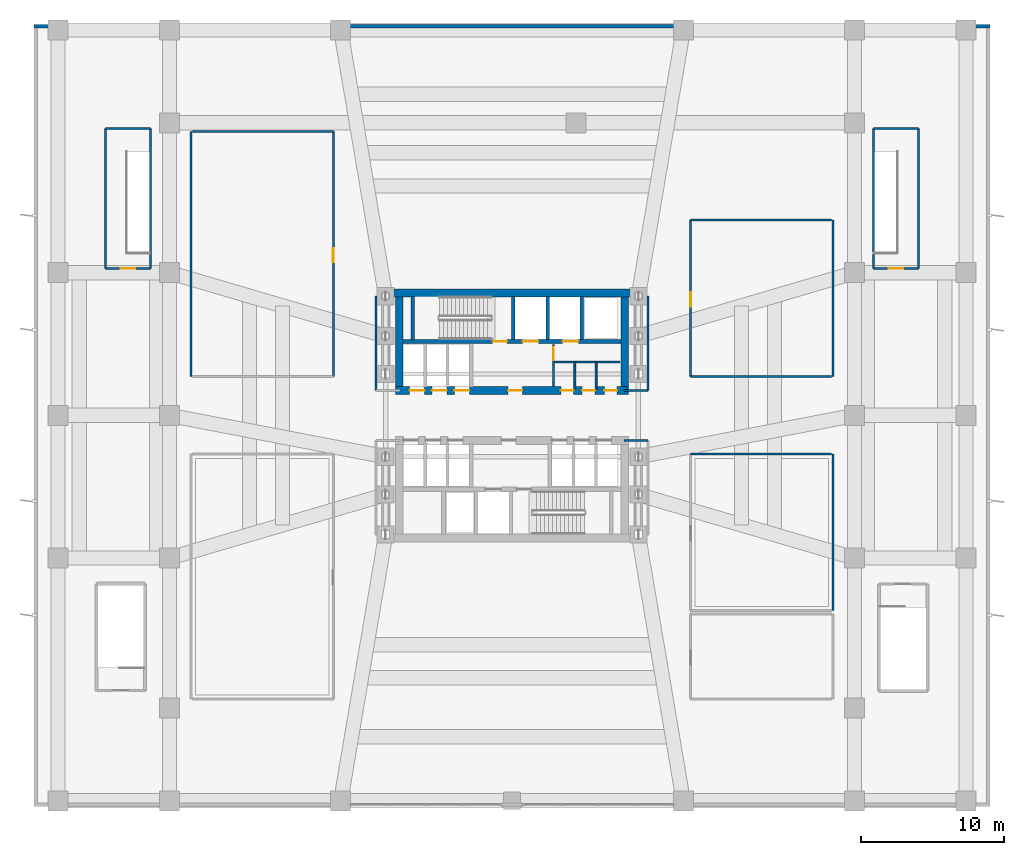
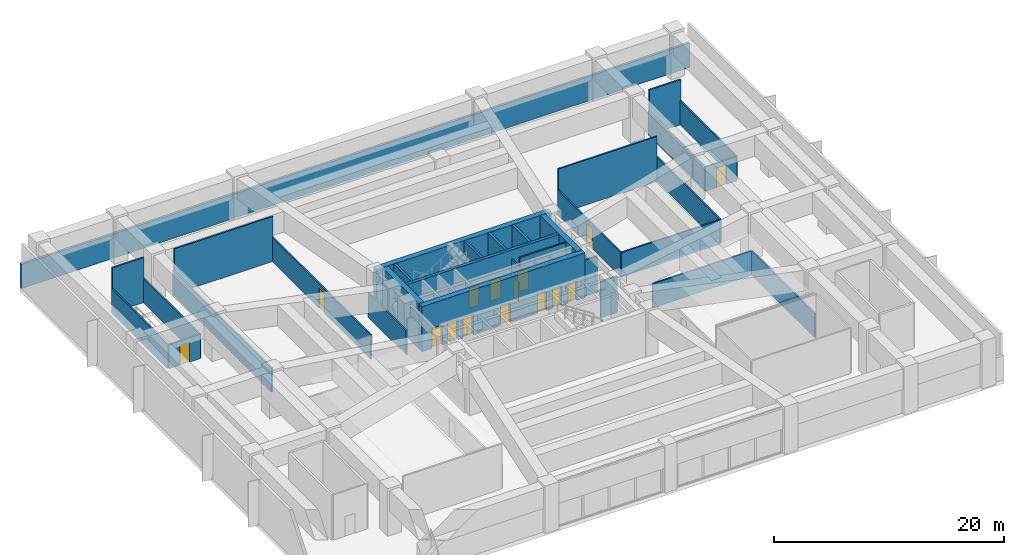
# One storey, part 9 of 14: 35 walls, 15 doors, 15 openings.
"""IFC4 building model written with IfcOpenShell, lengths in metres."""

from ifc_helpers import new_model, si_unit, direction, frame, frame_2d, origin, place, context, subcontext, project, spatial, rectangle, extrude, material, layer, layer_set, type_object, element, fill, save


model = new_model("IFC4")

# Units and contexts
model_context = context("Model", 3, precision=1e-05, world=origin(), true_north=direction((0.0, 1.0)))
body_context = subcontext(model_context, "Body", "Model", "MODEL_VIEW")
ifc_project = project(units=[si_unit("LENGTHUNIT", "METRE"), si_unit("AREAUNIT", "SQUARE_METRE"), si_unit("VOLUMEUNIT", "CUBIC_METRE"), si_unit("PLANEANGLEUNIT", "RADIAN"), si_unit("MASSUNIT", "GRAM", prefix="KILO")], contexts=[model_context])

# Site, building, storey
site_placement = place(None, origin())
site = spatial("IfcSite", under=ifc_project, at=site_placement, CompositionType="ELEMENT")
building_placement = place(site_placement, origin())
building = spatial("IfcBuilding", under=site, at=building_placement, Name="Solmarez Civic Tower", CompositionType="ELEMENT")
storey_placement = place(building_placement, frame((0.0, 0.0, 19.43994140625)))
storey = spatial("IfcBuildingStorey", under=building, at=storey_placement, Name="L04", CompositionType="ELEMENT", Elevation=19.43994140625)

# Wall
ifc_material_1 = material(Name="Concrete C60/75", Category="concrete")
ifc_layer_1 = layer(ifc_material_1, 0.550048828125)
ifc_layer_set_1 = layer_set([ifc_layer_1], Name="Concrete C60/75")
wall_type_1 = type_object("IfcWallType", Name="WALL-CORE-550", PredefinedType="SHEAR", material=ifc_layer_set_1)
wall_1_placement = place(storey_placement, frame((-8.780029296875, 8.5849609375, 0.0), z_axis=(0.0, 0.0, 1.0), x_axis=(1.0, 0.0, 0.0)))
element("IfcWall", 1, at=wall_1_placement, inside=storey, type_object=wall_type_1, Name="L04 Split-Core Structural Wall NCW-N-L04", PredefinedType="SHEAR", context=body_context, shape_type="SweptSolid", body=[
    extrude(rectangle(XDim=17.56005859375, YDim=0.550048828125, at=frame_2d((8.780029296875, 0.0))), origin(), (0.0, 0.0, 1.0), 4.780029296875),
])

# Wall, openings, doors
wall_2_placement = place(storey_placement, frame((8.169921875, 1.75, 0.0), z_axis=(0.0, 0.0, 1.0), x_axis=(-1.0, 0.0, 0.0)))
wall_2 = element("IfcWall", 2, at=wall_2_placement, inside=storey, type_object=wall_type_1, Name="L04 Split-Core Structural Wall NCW-S-L04", PredefinedType="SHEAR", context=body_context, shape_type="SweptSolid", body=[
    extrude(rectangle(XDim=16.33984375, YDim=0.550048828125, at=frame_2d((8.169921875, 0.0))), origin(), (0.0, 0.0, 1.0), 4.780029296875),
])
opening_1_placement = place(wall_2_placement, frame((7.449951171875, 0.0, 0.0)))
opening_1 = element("IfcOpeningElement", 3, at=opening_1_placement, cuts=wall_2, Name="Opening D-04", PredefinedType="OPENING", context=body_context, shape_type="SweptSolid", body=[
    extrude(rectangle(XDim=1.0, YDim=2.10009765625, at=frame_2d((0.5, 1.050048828125))), frame((0.0, 0.284912109375, 0.0), z_axis=(0.0, -1.0, 0.0), x_axis=(1.0, 0.0, 0.0)), (0.0, 0.0, 1.0), 0.570068359375),
])
opening_2_placement = place(wall_2_placement, frame((14.284912109375, 0.0, 0.0)))
opening_2 = element("IfcOpeningElement", 4, at=opening_2_placement, cuts=wall_2, Name="Opening LD-01", PredefinedType="OPENING", context=body_context, shape_type="SweptSolid", body=[
    extrude(rectangle(XDim=1.050048828125, YDim=2.14990234375, at=frame_2d((0.52490234375, 1.074951171875))), frame((0.0, 0.284912109375, 0.0), z_axis=(0.0, -1.0, 0.0), x_axis=(1.0, 0.0, 0.0)), (0.0, 0.0, 1.0), 0.570068359375),
])
opening_3_placement = place(wall_2_placement, frame((12.72509765625, 0.0, 0.0)))
opening_3 = element("IfcOpeningElement", 5, at=opening_3_placement, cuts=wall_2, Name="Opening LD-01", PredefinedType="OPENING", context=body_context, shape_type="SweptSolid", body=[
    extrude(rectangle(XDim=1.050048828125, YDim=2.14990234375, at=frame_2d((0.52490234375, 1.074951171875))), frame((0.0, 0.284912109375, 0.0), z_axis=(0.0, -1.0, 0.0), x_axis=(1.0, 0.0, 0.0)), (0.0, 0.0, 1.0), 0.570068359375),
])
opening_4_placement = place(wall_2_placement, frame((11.1650390625, 0.0, 0.0)))
opening_4 = element("IfcOpeningElement", 6, at=opening_4_placement, cuts=wall_2, Name="Opening LD-01", PredefinedType="OPENING", context=body_context, shape_type="SweptSolid", body=[
    extrude(rectangle(XDim=1.050048828125, YDim=2.14990234375, at=frame_2d((0.52490234375, 1.074951171875))), frame((0.0, 0.284912109375, 0.0), z_axis=(0.0, -1.0, 0.0), x_axis=(1.0, 0.0, 0.0)), (0.0, 0.0, 1.0), 0.570068359375),
])
opening_5_placement = place(wall_2_placement, frame((3.85009765625, 0.0, 0.0)))
opening_5 = element("IfcOpeningElement", 7, at=opening_5_placement, cuts=wall_2, Name="Opening D-09", PredefinedType="OPENING", context=body_context, shape_type="SweptSolid", body=[
    extrude(rectangle(XDim=0.89990234375, YDim=2.06005859375, at=frame_2d((0.449951171875, 1.030029296875))), frame((0.0, 0.284912109375, 0.0), z_axis=(0.0, -1.0, 0.0), x_axis=(1.0, 0.0, 0.0)), (0.0, 0.0, 1.0), 0.570068359375),
])
opening_6_placement = place(wall_2_placement, frame((2.35009765625, 0.0, 0.0)))
opening_6 = element("IfcOpeningElement", 8, at=opening_6_placement, cuts=wall_2, Name="Opening D-09", PredefinedType="OPENING", context=body_context, shape_type="SweptSolid", body=[
    extrude(rectangle(XDim=0.89990234375, YDim=2.06005859375, at=frame_2d((0.449951171875, 1.030029296875))), frame((0.0, 0.284912109375, 0.0), z_axis=(0.0, -1.0, 0.0), x_axis=(1.0, 0.0, 0.0)), (0.0, 0.0, 1.0), 0.570068359375),
])
opening_7_placement = place(wall_2_placement, frame((0.800048828125, 0.0, 0.0)))
opening_7 = element("IfcOpeningElement", 9, at=opening_7_placement, cuts=wall_2, Name="Opening D-09", PredefinedType="OPENING", context=body_context, shape_type="SweptSolid", body=[
    extrude(rectangle(XDim=0.89990234375, YDim=2.06005859375, at=frame_2d((0.449951171875, 1.030029296875))), frame((0.0, 0.284912109375, 0.0), z_axis=(0.0, -1.0, 0.0), x_axis=(1.0, 0.0, 0.0)), (0.0, 0.0, 1.0), 0.570068359375),
])
ifc_material_2 = material(Name="Steel-Faced Acoustic Fire Door", Category="steel")
door_type_1 = type_object("IfcDoorType", Name="DOOR-FD60-1000", OperationType="NOTDEFINED", PredefinedType="DOOR", material=ifc_material_2)
door_1_placement = place(opening_1_placement, origin())
door_1 = element("IfcDoor", 10, at=door_1_placement, inside=storey, type_object=door_type_1, Name="L04 North Firefighting Lobby Door", OperationType="SINGLE_SWING_LEFT", OverallHeight=2.10009765625, OverallWidth=1.0, PredefinedType="DOOR", context=body_context, shape_type="SweptSolid", body=[
    extrude(rectangle(XDim=1.0, YDim=2.10009765625, at=frame_2d((0.5, 1.050048828125))), frame((0.0, 0.02490234375, 0.0), z_axis=(0.0, -1.0, 0.0), x_axis=(1.0, 0.0, 0.0)), (0.0, 0.0, 1.0), 0.050048828125),
])
fill(opening_1, door_1)
ifc_material_3 = material(Name="Fire-Rated Service Core Door", Category="wood")
door_type_2 = type_object("IfcDoorType", Name="DOOR-FD60-900", OperationType="NOTDEFINED", PredefinedType="DOOR", material=ifc_material_3)
door_2_placement = place(opening_5_placement, origin())
door_2 = element("IfcDoor", 11, at=door_2_placement, inside=storey, type_object=door_type_2, Name="L04 Core WC Door", OperationType="SINGLE_SWING_RIGHT", OverallHeight=2.06005859375, OverallWidth=0.89990234375, PredefinedType="DOOR", context=body_context, shape_type="SweptSolid", body=[
    extrude(rectangle(XDim=0.89990234375, YDim=2.06005859375, at=frame_2d((0.449951171875, 1.030029296875))), frame((0.0, 0.02490234375, 0.0), z_axis=(0.0, -1.0, 0.0), x_axis=(1.0, 0.0, 0.0)), (0.0, 0.0, 1.0), 0.050048828125),
])
fill(opening_5, door_2)
door_3_placement = place(opening_6_placement, origin())
door_3 = element("IfcDoor", 12, at=door_3_placement, inside=storey, type_object=door_type_2, Name="L04 Core CL Door", OperationType="SINGLE_SWING_LEFT", OverallHeight=2.06005859375, OverallWidth=0.89990234375, PredefinedType="DOOR", context=body_context, shape_type="SweptSolid", body=[
    extrude(rectangle(XDim=0.89990234375, YDim=2.06005859375, at=frame_2d((0.449951171875, 1.030029296875))), frame((0.0, 0.02490234375, 0.0), z_axis=(0.0, -1.0, 0.0), x_axis=(1.0, 0.0, 0.0)), (0.0, 0.0, 1.0), 0.050048828125),
])
fill(opening_6, door_3)
door_4_placement = place(opening_7_placement, origin())
door_4 = element("IfcDoor", 13, at=door_4_placement, inside=storey, type_object=door_type_2, Name="L04 Core IT Door", OperationType="SINGLE_SWING_LEFT", OverallHeight=2.06005859375, OverallWidth=0.89990234375, PredefinedType="DOOR", context=body_context, shape_type="SweptSolid", body=[
    extrude(rectangle(XDim=0.89990234375, YDim=2.06005859375, at=frame_2d((0.449951171875, 1.030029296875))), frame((0.0, 0.02490234375, 0.0), z_axis=(0.0, -1.0, 0.0), x_axis=(1.0, 0.0, 0.0)), (0.0, 0.0, 1.0), 0.050048828125),
])
fill(opening_7, door_4)
ifc_material_4 = material(Name="Bronze Passenger Lift Landing Sliding Door", Category="aluminium")
door_type_3 = type_object("IfcDoorType", Name="DOOR-LD-PAX-1050", OperationType="DOUBLE_DOOR_SLIDING", PredefinedType="DOOR", material=ifc_material_4)
door_5_placement = place(opening_2_placement, origin())
door_5 = element("IfcDoor", 14, at=door_5_placement, inside=storey, type_object=door_type_3, Name="L04 High-Rise Lift Landing Door PL-H1", OperationType="DOUBLE_DOOR_SLIDING", OverallHeight=2.14990234375, OverallWidth=1.050048828125, PredefinedType="DOOR", context=body_context, shape_type="SweptSolid", body=[
    extrude(rectangle(XDim=1.050048828125, YDim=2.14990234375, at=frame_2d((0.52490234375, 1.074951171875))), frame((0.0, 0.02490234375, 0.0), z_axis=(0.0, -1.0, 0.0), x_axis=(1.0, 0.0, 0.0)), (0.0, 0.0, 1.0), 0.050048828125),
])
fill(opening_2, door_5)
door_6_placement = place(opening_3_placement, origin())
door_6 = element("IfcDoor", 15, at=door_6_placement, inside=storey, type_object=door_type_3, Name="L04 High-Rise Lift Landing Door PL-H2", OperationType="DOUBLE_DOOR_SLIDING", OverallHeight=2.14990234375, OverallWidth=1.050048828125, PredefinedType="DOOR", context=body_context, shape_type="SweptSolid", body=[
    extrude(rectangle(XDim=1.050048828125, YDim=2.14990234375, at=frame_2d((0.52490234375, 1.074951171875))), frame((0.0, 0.02490234375, 0.0), z_axis=(0.0, -1.0, 0.0), x_axis=(1.0, 0.0, 0.0)), (0.0, 0.0, 1.0), 0.050048828125),
])
fill(opening_3, door_6)
door_7_placement = place(opening_4_placement, origin())
door_7 = element("IfcDoor", 16, at=door_7_placement, inside=storey, type_object=door_type_3, Name="L04 High-Rise Lift Landing Door PL-H3", OperationType="DOUBLE_DOOR_SLIDING", OverallHeight=2.14990234375, OverallWidth=1.050048828125, PredefinedType="DOOR", context=body_context, shape_type="SweptSolid", body=[
    extrude(rectangle(XDim=1.050048828125, YDim=2.14990234375, at=frame_2d((0.52490234375, 1.074951171875))), frame((0.0, 0.02490234375, 0.0), z_axis=(0.0, -1.0, 0.0), x_axis=(1.0, 0.0, 0.0)), (0.0, 0.0, 1.0), 0.050048828125),
])
fill(opening_4, door_7)

# Walls
for number, where, z_axis, x_axis, name in (
    (17, (-7.89501953125, 2.02490234375, 0.0), (0.0, 0.0, 1.0), (0.0, 1.0, 0.0), "L04 Split-Core Structural Wall NCW-W-L04"),
    (18, (7.89501953125, 8.31005859375, 0.0), (0.0, 0.0, 1.0), (0.0, -1.0, 0.0), "L04 Split-Core Structural Wall NCW-E-L04"),
):
    element("IfcWall", number, at=place(storey_placement, frame(where, z_axis=z_axis, x_axis=x_axis)), inside=storey, type_object=wall_type_1, Name=name, PredefinedType="SHEAR", context=body_context, shape_type="SweptSolid", body=[
        extrude(rectangle(XDim=6.28515625, YDim=0.550048828125, at=frame_2d((3.142578125, 0.0))), origin(), (0.0, 0.0, 1.0), 4.780029296875),
    ])
ifc_material_5 = material(Name="Precast concrete C40/50", Category="concrete")
ifc_layer_2 = layer(ifc_material_5, 0.260009765625)
ifc_layer_set_2 = layer_set([ifc_layer_2], Name="Precast concrete C40/50")
wall_type_2 = type_object("IfcWallType", Name="WALL-EXT-260", PredefinedType="SOLIDWALL", material=ifc_layer_set_2)
wall_3_placement = place(storey_placement, frame((-33.5, 27.27001953125, 0.0), z_axis=(0.0, 0.0, 1.0), x_axis=(1.0, 0.0, 0.0)))
element("IfcWall", 19, at=wall_3_placement, inside=storey, type_object=wall_type_2, Name="L04 North Exterior Precast Wall", PredefinedType="SOLIDWALL", context=body_context, shape_type="SweptSolid", body=[
    extrude(rectangle(XDim=67.0, YDim=0.260009765625, at=frame_2d((33.5, 0.0))), origin(), (0.0, 0.0, 1.0), 2.572021484375),
])
ifc_material_6 = material(Name="Gypsum Board Acoustic Steel-Stud Partition", Category="steel")
ifc_layer_3 = layer(ifc_material_6, 0.14990234375)
ifc_layer_set_3 = layer_set([ifc_layer_3], Name="Gypsum Board Acoustic Steel-Stud Partition")
wall_type_3 = type_object("IfcWallType", Name="WALL-INT-FIRE-150", PredefinedType="PARTITIONING", material=ifc_layer_set_3)
for number, where, z_axis, x_axis, name in (
    (20, (-28.47998046875, 10.300048828125, 0.0), (0.0, 0.0, 1.0), (0.0, 1.0, 0.0), "L04 Podium Stair P3 Shaft Wall"),
    (21, (-25.320068359375, 10.300048828125, 0.0), (0.0, 0.0, 1.0), (0.0, 1.0, 0.0), "L04 Podium Stair P3 Shaft Wall"),
):
    element("IfcWall", number, at=place(storey_placement, frame(where, z_axis=z_axis, x_axis=x_axis)), inside=storey, type_object=wall_type_3, Name=name, PredefinedType="PARTITIONING", context=body_context, shape_type="SweptSolid", body=[
        extrude(rectangle(XDim=9.800048828125, YDim=0.14990234375, at=frame_2d((4.89990234375, 0.0))), origin(), (0.0, 0.0, 1.0), 2.572021484375),
    ])

# Wall, opening, door
wall_4_placement = place(storey_placement, frame((-28.47998046875, 10.300048828125, 0.0), z_axis=(0.0, 0.0, 1.0), x_axis=(1.0, 0.0, 0.0)))
wall_4 = element("IfcWall", 22, at=wall_4_placement, inside=storey, type_object=wall_type_3, Name="L04 Podium Stair P3 Shaft Wall", PredefinedType="PARTITIONING", context=body_context, shape_type="SweptSolid", body=[
    extrude(rectangle(XDim=3.159912109375, YDim=0.14990234375, at=frame_2d((1.580078125, 0.0))), origin(), (0.0, 0.0, 1.0), 2.572021484375),
])
opening_8_placement = place(wall_4_placement, frame((1.080078125, 0.0, 0.0)))
opening_8 = element("IfcOpeningElement", 23, at=opening_8_placement, cuts=wall_4, Name="Opening D-05", PredefinedType="OPENING", context=body_context, shape_type="SweptSolid", body=[
    extrude(rectangle(XDim=1.0, YDim=2.10009765625, at=frame_2d((0.5, 1.050048828125))), frame((0.0, 0.0849609375, 0.0), z_axis=(0.0, -1.0, 0.0), x_axis=(1.0, 0.0, 0.0)), (0.0, 0.0, 1.0), 0.169921875),
])
ifc_material_7 = material(Name="Fire-Rated Stairwell Exit Door", Category="wood")
door_type_4 = type_object("IfcDoorType", Name="DOOR-FD90-1000", OperationType="NOTDEFINED", PredefinedType="DOOR", material=ifc_material_7)
door_8_placement = place(opening_8_placement, origin())
door_8 = element("IfcDoor", 24, at=door_8_placement, inside=storey, type_object=door_type_4, Name="L04 Podium Stair P3 Entry Door", OperationType="SINGLE_SWING_RIGHT", OverallHeight=2.10009765625, OverallWidth=1.0, PredefinedType="DOOR", context=body_context, shape_type="SweptSolid", body=[
    extrude(rectangle(XDim=1.0, YDim=2.10009765625, at=frame_2d((0.5, 1.050048828125))), frame((0.0, 0.02490234375, 0.0), z_axis=(0.0, -1.0, 0.0), x_axis=(1.0, 0.0, 0.0)), (0.0, 0.0, 1.0), 0.050048828125),
])
fill(opening_8, door_8)

# Walls
wall_5_placement = place(storey_placement, frame((-25.320068359375, 20.10009765625, 0.0), z_axis=(0.0, 0.0, 1.0), x_axis=(-1.0, 0.0, 0.0)))
element("IfcWall", 25, at=wall_5_placement, inside=storey, type_object=wall_type_3, Name="L04 Podium Stair P3 Shaft Wall", PredefinedType="PARTITIONING", context=body_context, shape_type="SweptSolid", body=[
    extrude(rectangle(XDim=3.159912109375, YDim=0.14990234375, at=frame_2d((1.580078125, 0.0))), origin(), (0.0, 0.0, 1.0), 4.780029296875),
])
for number, where, z_axis, x_axis, name in (
    (26, (25.320068359375, 10.300048828125, 0.0), (0.0, 0.0, 1.0), (0.0, 1.0, 0.0), "L04 Podium Stair P4 Shaft Wall"),
    (27, (28.47998046875, 10.300048828125, 0.0), (0.0, 0.0, 1.0), (0.0, 1.0, 0.0), "L04 Podium Stair P4 Shaft Wall"),
):
    element("IfcWall", number, at=place(storey_placement, frame(where, z_axis=z_axis, x_axis=x_axis)), inside=storey, type_object=wall_type_3, Name=name, PredefinedType="PARTITIONING", context=body_context, shape_type="SweptSolid", body=[
        extrude(rectangle(XDim=9.800048828125, YDim=0.14990234375, at=frame_2d((4.89990234375, 0.0))), origin(), (0.0, 0.0, 1.0), 2.572021484375),
    ])

# Wall, opening, door
wall_6_placement = place(storey_placement, frame((25.320068359375, 10.300048828125, 0.0), z_axis=(0.0, 0.0, 1.0), x_axis=(1.0, 0.0, 0.0)))
wall_6 = element("IfcWall", 28, at=wall_6_placement, inside=storey, type_object=wall_type_3, Name="L04 Podium Stair P4 Shaft Wall", PredefinedType="PARTITIONING", context=body_context, shape_type="SweptSolid", body=[
    extrude(rectangle(XDim=3.159912109375, YDim=0.14990234375, at=frame_2d((1.580078125, 0.0))), origin(), (0.0, 0.0, 1.0), 2.572021484375),
])
opening_9_placement = place(wall_6_placement, frame((1.080078125, 0.0, 0.0)))
opening_9 = element("IfcOpeningElement", 29, at=opening_9_placement, cuts=wall_6, Name="Opening D-05", PredefinedType="OPENING", context=body_context, shape_type="SweptSolid", body=[
    extrude(rectangle(XDim=1.0, YDim=2.10009765625, at=frame_2d((0.5, 1.050048828125))), frame((0.0, 0.0849609375, 0.0), z_axis=(0.0, -1.0, 0.0), x_axis=(1.0, 0.0, 0.0)), (0.0, 0.0, 1.0), 0.169921875),
])
door_9_placement = place(opening_9_placement, origin())
door_9 = element("IfcDoor", 30, at=door_9_placement, inside=storey, type_object=door_type_4, Name="L04 Podium Stair P4 Entry Door", OperationType="SINGLE_SWING_LEFT", OverallHeight=2.10009765625, OverallWidth=1.0, PredefinedType="DOOR", context=body_context, shape_type="SweptSolid", body=[
    extrude(rectangle(XDim=1.0, YDim=2.10009765625, at=frame_2d((0.5, 1.050048828125))), frame((0.0, 0.02490234375, 0.0), z_axis=(0.0, -1.0, 0.0), x_axis=(1.0, 0.0, 0.0)), (0.0, 0.0, 1.0), 0.050048828125),
])
fill(opening_9, door_9)

# Walls
wall_7_placement = place(storey_placement, frame((28.47998046875, 20.10009765625, 0.0), z_axis=(0.0, 0.0, 1.0), x_axis=(-1.0, 0.0, 0.0)))
element("IfcWall", 31, at=wall_7_placement, inside=storey, type_object=wall_type_3, Name="L04 Podium Stair P4 Shaft Wall", PredefinedType="PARTITIONING", context=body_context, shape_type="SweptSolid", body=[
    extrude(rectangle(XDim=3.159912109375, YDim=0.14990234375, at=frame_2d((1.580078125, 0.0))), origin(), (0.0, 0.0, 1.0), 4.780029296875),
])
for number, where, z_axis, x_axis, name in (
    (32, (-9.52001953125, 1.75, 0.0), (0.0, 0.0, 1.0), (0.0, 1.0, 0.0), "L04 Interior Partition CHW-L04-WN1"),
    (33, (9.52001953125, 1.75, 0.0), (0.0, 0.0, 1.0), (0.0, 1.0, 0.0), "L04 Interior Partition CHW-L04-EN1"),
):
    element("IfcWall", number, at=place(storey_placement, frame(where, z_axis=z_axis, x_axis=x_axis)), inside=storey, type_object=wall_type_3, Name=name, PredefinedType="PARTITIONING", context=body_context, shape_type="SweptSolid", body=[
        extrude(rectangle(XDim=6.6298828125, YDim=0.14990234375, at=frame_2d((3.31494140625, 0.0))), origin(), (0.0, 0.0, 1.0), 2.572021484375),
    ])
for number, where, z_axis, x_axis, name in (
    (34, (7.85009765625, 1.75, 0.0), (0.0, 0.0, 1.0), (1.0, 0.0, 0.0), "L04 Interior Partition CHW-L04-EN3"),
    (35, (7.85009765625, -1.75, 0.0), (0.0, 0.0, 1.0), (1.0, 0.0, 0.0), "L04 Interior Partition CHW-L04-ES3"),
):
    element("IfcWall", number, at=place(storey_placement, frame(where, z_axis=z_axis, x_axis=x_axis)), inside=storey, type_object=wall_type_3, Name=name, PredefinedType="PARTITIONING", context=body_context, shape_type="SweptSolid", body=[
        extrude(rectangle(XDim=1.669921875, YDim=0.14990234375, at=frame_2d((0.8349609375, 0.0))), origin(), (0.0, 0.0, 1.0), 3.844970703125),
    ])
wall_8_placement = place(storey_placement, frame((-22.47998046875, 2.719970703125, 0.0), z_axis=(0.0, 0.0, 1.0), x_axis=(0.0, 1.0, 0.0)))
element("IfcWall", 36, at=wall_8_placement, inside=storey, type_object=wall_type_3, Name="L04 Interior Partition PT-L0X-L04-NW1-B", PredefinedType="PARTITIONING", context=body_context, shape_type="SweptSolid", body=[
    extrude(rectangle(XDim=17.159912109375, YDim=0.14990234375, at=frame_2d((8.580078125, 0.0))), origin(), (0.0, 0.0, 1.0), 2.572021484375),
])
for number, where, z_axis, x_axis, name in (
    (37, (22.47998046875, 2.719970703125, 0.0), (0.0, 0.0, 1.0), (0.0, 1.0, 0.0), "L04 Interior Partition PT-L0X-L04-NE1-B"),
    (38, (22.47998046875, -13.679931640625, 0.0), (0.0, 0.0, 1.0), (0.0, 1.0, 0.0), "L04 Interior Partition PT-L0X-L04-SE1-B"),
):
    element("IfcWall", number, at=place(storey_placement, frame(where, z_axis=z_axis, x_axis=x_axis)), inside=storey, type_object=wall_type_3, Name=name, PredefinedType="PARTITIONING", context=body_context, shape_type="SweptSolid", body=[
        extrude(rectangle(XDim=10.9599609375, YDim=0.14990234375, at=frame_2d((5.47998046875, 0.0))), origin(), (0.0, 0.0, 1.0), 2.572021484375),
    ])

# Wall, opening, door
ifc_layer_4 = layer(ifc_material_6, 0.14501953125)
ifc_layer_set_4 = layer_set([ifc_layer_4], Name="Gypsum Board Acoustic Steel-Stud Partition")
wall_type_4 = type_object("IfcWallType", Name="WALL-INT-PART-150", PredefinedType="PARTITIONING", material=ifc_layer_set_4)
wall_9_placement = place(storey_placement, frame((-12.52001953125, 19.8798828125, 0.0), z_axis=(0.0, 0.0, 1.0), x_axis=(0.0, -1.0, 0.0)))
wall_9 = element("IfcWall", 39, at=wall_9_placement, inside=storey, type_object=wall_type_4, Name="L04 Interior Partition PT-L0X-L04-NW1-F", PredefinedType="PARTITIONING", context=body_context, shape_type="SweptSolid", body=[
    extrude(rectangle(XDim=17.159912109375, YDim=0.14501953125, at=frame_2d((8.580078125, 0.0))), origin(), (0.0, 0.0, 1.0), 2.572021484375),
])
opening_10_placement = place(wall_9_placement, frame((8.159912109375, 0.0, 0.0)))
opening_10 = element("IfcOpeningElement", 40, at=opening_10_placement, cuts=wall_9, Name="Opening D-04", PredefinedType="OPENING", context=body_context, shape_type="SweptSolid", body=[
    extrude(rectangle(XDim=1.0, YDim=2.10009765625, at=frame_2d((0.5, 1.050048828125))), frame((0.0, 0.08251953125, 0.0), z_axis=(0.0, -1.0, 0.0), x_axis=(1.0, 0.0, 0.0)), (0.0, 0.0, 1.0), 0.1650390625),
])
door_10_placement = place(opening_10_placement, origin())
door_10 = element("IfcDoor", 41, at=door_10_placement, inside=storey, type_object=door_type_1, Name="L04 West Transfer Truss Mechanical Plant Room Door", OperationType="SINGLE_SWING_RIGHT", OverallHeight=2.10009765625, OverallWidth=1.0, PredefinedType="DOOR", context=body_context, shape_type="SweptSolid", body=[
    extrude(rectangle(XDim=1.0, YDim=2.10009765625, at=frame_2d((0.5, 1.050048828125))), frame((0.0, 0.02490234375, 0.0), z_axis=(0.0, -1.0, 0.0), x_axis=(1.0, 0.0, 0.0)), (0.0, 0.0, 1.0), 0.050048828125),
])
fill(opening_10, door_10)

# Wall
wall_10_placement = place(storey_placement, frame((-22.39990234375, 19.8798828125, 0.0), z_axis=(0.0, 0.0, 1.0), x_axis=(1.0, 0.0, 0.0)))
element("IfcWall", 42, at=wall_10_placement, inside=storey, type_object=wall_type_4, Name="L04 Interior Partition PT-L0X-L04-NW1-N", PredefinedType="PARTITIONING", context=body_context, shape_type="SweptSolid", body=[
    extrude(rectangle(XDim=9.8798828125, YDim=0.14501953125, at=frame_2d((4.93994140625, 0.0))), origin(), (0.0, 0.0, 1.0), 4.780029296875),
])

# Wall, opening, door
wall_11_placement = place(storey_placement, frame((12.52001953125, 2.719970703125, 0.0), z_axis=(0.0, 0.0, 1.0), x_axis=(0.0, 1.0, 0.0)))
wall_11 = element("IfcWall", 43, at=wall_11_placement, inside=storey, type_object=wall_type_4, Name="L04 Interior Partition PT-L0X-L04-NE1-F", PredefinedType="PARTITIONING", context=body_context, shape_type="SweptSolid", body=[
    extrude(rectangle(XDim=10.9599609375, YDim=0.14501953125, at=frame_2d((5.47998046875, 0.0))), origin(), (0.0, 0.0, 1.0), 2.572021484375),
])
opening_11_placement = place(wall_11_placement, frame((4.89990234375, 0.0, 0.0)))
opening_11 = element("IfcOpeningElement", 44, at=opening_11_placement, cuts=wall_11, Name="Opening D-04", PredefinedType="OPENING", context=body_context, shape_type="SweptSolid", body=[
    extrude(rectangle(XDim=1.0, YDim=2.10009765625, at=frame_2d((0.5, 1.050048828125))), frame((0.0, 0.08251953125, 0.0), z_axis=(0.0, -1.0, 0.0), x_axis=(1.0, 0.0, 0.0)), (0.0, 0.0, 1.0), 0.1650390625),
])
door_11_placement = place(opening_11_placement, origin())
door_11 = element("IfcDoor", 45, at=door_11_placement, inside=storey, type_object=door_type_1, Name="L04 East Transfer Truss Electrical Plant Room Door", OperationType="SINGLE_SWING_RIGHT", OverallHeight=2.10009765625, OverallWidth=1.0, PredefinedType="DOOR", context=body_context, shape_type="SweptSolid", body=[
    extrude(rectangle(XDim=1.0, YDim=2.10009765625, at=frame_2d((0.5, 1.050048828125))), frame((0.0, 0.02490234375, 0.0), z_axis=(0.0, -1.0, 0.0), x_axis=(1.0, 0.0, 0.0)), (0.0, 0.0, 1.0), 0.050048828125),
])
fill(opening_11, door_11)

# Walls
wall_12_placement = place(storey_placement, frame((12.52001953125, 2.719970703125, 0.0), z_axis=(0.0, 0.0, 1.0), x_axis=(1.0, 0.0, 0.0)))
element("IfcWall", 46, at=wall_12_placement, inside=storey, type_object=wall_type_4, Name="L04 Interior Partition PT-L0X-L04-NE1-S", PredefinedType="PARTITIONING", context=body_context, shape_type="SweptSolid", body=[
    extrude(rectangle(XDim=9.8798828125, YDim=0.14501953125, at=frame_2d((4.93994140625, 0.0))), origin(), (0.0, 0.0, 1.0), 2.572021484375),
])
wall_13_placement = place(storey_placement, frame((12.52001953125, 13.679931640625, 0.0), z_axis=(0.0, 0.0, 1.0), x_axis=(1.0, 0.0, 0.0)))
element("IfcWall", 47, at=wall_13_placement, inside=storey, type_object=wall_type_4, Name="L04 Interior Partition PT-L0X-L04-NE1-N", PredefinedType="PARTITIONING", context=body_context, shape_type="SweptSolid", body=[
    extrude(rectangle(XDim=9.8798828125, YDim=0.14501953125, at=frame_2d((4.93994140625, 0.0))), origin(), (0.0, 0.0, 1.0), 4.780029296875),
])
wall_14_placement = place(storey_placement, frame((12.52001953125, -2.719970703125, 0.0), z_axis=(0.0, 0.0, 1.0), x_axis=(1.0, 0.0, 0.0)))
element("IfcWall", 48, at=wall_14_placement, inside=storey, type_object=wall_type_4, Name="L04 Interior Partition PT-L0X-L04-SE1-N", PredefinedType="PARTITIONING", context=body_context, shape_type="SweptSolid", body=[
    extrude(rectangle(XDim=9.8798828125, YDim=0.14501953125, at=frame_2d((4.93994140625, 0.0))), origin(), (0.0, 0.0, 1.0), 2.572021484375),
])

# Wall, opening, door
ifc_layer_5 = layer(ifc_material_6, 0.159912109375)
ifc_layer_set_5 = layer_set([ifc_layer_5], Name="Gypsum Board Acoustic Steel-Stud Partition")
wall_type_5 = type_object("IfcWallType", Name="WALL-INT-SHAFT-160", PredefinedType="PARTITIONING", material=ifc_layer_set_5)
wall_15_placement = place(storey_placement, frame((2.89990234375, 2.0400390625, 0.0), z_axis=(0.0, 0.0, 1.0), x_axis=(0.0, 1.0, 0.0)))
wall_15 = element("IfcWall", 49, at=wall_15_placement, inside=storey, type_object=wall_type_5, Name="L04 Interior Partition SHW-NL2-L04", PredefinedType="PARTITIONING", context=body_context, shape_type="SweptSolid", body=[
    extrude(rectangle(XDim=2.93994140625, YDim=0.159912109375, at=frame_2d((1.469970703125, 0.0))), origin(), (0.0, 0.0, 1.0), 3.844970703125),
])
opening_12_placement = place(wall_15_placement, frame((1.820068359375, 0.0, 0.0)))
opening_12 = element("IfcOpeningElement", 50, at=opening_12_placement, cuts=wall_15, Name="Opening D-09", PredefinedType="OPENING", context=body_context, shape_type="SweptSolid", body=[
    extrude(rectangle(XDim=0.89990234375, YDim=2.06005859375, at=frame_2d((0.449951171875, 1.030029296875))), frame((0.0, 0.08984375, 0.0), z_axis=(0.0, -1.0, 0.0), x_axis=(1.0, 0.0, 0.0)), (0.0, 0.0, 1.0), 0.179931640625),
])
door_12_placement = place(opening_12_placement, origin())
door_12 = element("IfcDoor", 51, at=door_12_placement, inside=storey, type_object=door_type_2, Name="L04 Service Lift Lobby Door", OperationType="SINGLE_SWING_LEFT", OverallHeight=2.06005859375, OverallWidth=0.89990234375, PredefinedType="DOOR", context=body_context, shape_type="SweptSolid", body=[
    extrude(rectangle(XDim=0.89990234375, YDim=2.06005859375, at=frame_2d((0.449951171875, 1.030029296875))), frame((0.0, 0.02490234375, 0.0), z_axis=(0.0, -1.0, 0.0), x_axis=(1.0, 0.0, 0.0)), (0.0, 0.0, 1.0), 0.050048828125),
])
fill(opening_12, door_12)

# Walls
ifc_layer_6 = layer(ifc_material_6, 0.137939453125)
ifc_layer_set_6 = layer_set([ifc_layer_6], Name="Gypsum Board Acoustic Steel-Stud Partition")
wall_type_6 = type_object("IfcWallType", Name="WALL-INT-WET-140", PredefinedType="PARTITIONING", material=ifc_layer_set_6)
wall_16_placement = place(storey_placement, frame((2.89990234375, 3.739990234375, 0.0), z_axis=(0.0, 0.0, 1.0), x_axis=(1.0, 0.0, 0.0)))
element("IfcWall", 52, at=wall_16_placement, inside=storey, type_object=wall_type_6, Name="L04 Interior Partition SHW-SVH-L04", PredefinedType="PARTITIONING", context=body_context, shape_type="SweptSolid", body=[
    extrude(rectangle(XDim=4.650146484375, YDim=0.137939453125, at=frame_2d((2.3251953125, 0.0))), origin(), (0.0, 0.0, 1.0), 4.780029296875),
])
for number, where, z_axis, x_axis, name in (
    (53, (4.39990234375, 1.85009765625, 0.0), (0.0, 0.0, 1.0), (0.0, 1.0, 0.0), "L04 Interior Partition PT-NCSV1-L04"),
    (54, (5.89990234375, 1.85009765625, 0.0), (0.0, 0.0, 1.0), (0.0, 1.0, 0.0), "L04 Interior Partition PT-NCSV2-L04"),
):
    element("IfcWall", number, at=place(storey_placement, frame(where, z_axis=z_axis, x_axis=x_axis)), inside=storey, type_object=wall_type_6, Name=name, PredefinedType="PARTITIONING", context=body_context, shape_type="SweptSolid", body=[
        extrude(rectangle(XDim=1.889892578125, YDim=0.137939453125, at=frame_2d((0.94482421875, 0.0))), origin(), (0.0, 0.0, 1.0), 3.844970703125),
    ])

# Wall, openings, doors
ifc_material_8 = material(Name="Concrete C50/60", Category="concrete")
ifc_layer_7 = layer(ifc_material_8, 0.300048828125)
ifc_layer_set_7 = layer_set([ifc_layer_7], Name="Concrete C50/60")
wall_type_7 = type_object("IfcWallType", Name="WALL-STR-300", PredefinedType="SOLIDWALL", material=ifc_layer_set_7)
wall_17_placement = place(storey_placement, frame((7.6201171875, 5.179931640625, 0.0), z_axis=(0.0, 0.0, 1.0), x_axis=(-1.0, 0.0, 0.0)))
wall_17 = element("IfcWall", 55, at=wall_17_placement, inside=storey, type_object=wall_type_7, Name="L04 Split-Core Structural Wall NCW-M-L04", PredefinedType="SOLIDWALL", context=body_context, shape_type="SweptSolid", body=[
    extrude(rectangle(XDim=15.240234375, YDim=0.300048828125, at=frame_2d((7.6201171875, 0.0))), origin(), (0.0, 0.0, 1.0), 4.780029296875),
])
opening_13_placement = place(wall_17_placement, frame((5.77001953125, 0.0, 0.0)))
opening_13 = element("IfcOpeningElement", 56, at=opening_13_placement, cuts=wall_17, Name="Opening LD-02", PredefinedType="OPENING", context=body_context, shape_type="SweptSolid", body=[
    extrude(rectangle(XDim=1.10009765625, YDim=2.14990234375, at=frame_2d((0.550048828125, 1.074951171875))), frame((0.0, 0.159912109375, 0.0), z_axis=(0.0, -1.0, 0.0), x_axis=(1.0, 0.0, 0.0)), (0.0, 0.0, 1.0), 0.320068359375),
])
opening_14_placement = place(wall_17_placement, frame((2.969970703125, 0.0, 0.0)))
opening_14 = element("IfcOpeningElement", 57, at=opening_14_placement, cuts=wall_17, Name="Opening LD-03", PredefinedType="OPENING", context=body_context, shape_type="SweptSolid", body=[
    extrude(rectangle(XDim=1.10009765625, YDim=2.14990234375, at=frame_2d((0.550048828125, 1.074951171875))), frame((0.0, 0.159912109375, 0.0), z_axis=(0.0, -1.0, 0.0), x_axis=(1.0, 0.0, 0.0)), (0.0, 0.0, 1.0), 0.320068359375),
])
opening_15_placement = place(wall_17_placement, frame((7.969970703125, 0.0, 0.0)))
opening_15 = element("IfcOpeningElement", 58, at=opening_15_placement, cuts=wall_17, Name="Opening D-05", PredefinedType="OPENING", context=body_context, shape_type="SweptSolid", body=[
    extrude(rectangle(XDim=1.0, YDim=2.10009765625, at=frame_2d((0.5, 1.050048828125))), frame((0.0, 0.159912109375, 0.0), z_axis=(0.0, -1.0, 0.0), x_axis=(1.0, 0.0, 0.0)), (0.0, 0.0, 1.0), 0.320068359375),
])
door_13_placement = place(opening_15_placement, origin())
door_13 = element("IfcDoor", 59, at=door_13_placement, inside=storey, type_object=door_type_4, Name="L04 North Exit Stair Door ST-1", OperationType="SINGLE_SWING_LEFT", OverallHeight=2.10009765625, OverallWidth=1.0, PredefinedType="DOOR", context=body_context, shape_type="SweptSolid", body=[
    extrude(rectangle(XDim=1.0, YDim=2.10009765625, at=frame_2d((0.5, 1.050048828125))), frame((0.0, 0.02490234375, 0.0), z_axis=(0.0, -1.0, 0.0), x_axis=(1.0, 0.0, 0.0)), (0.0, 0.0, 1.0), 0.050048828125),
])
fill(opening_15, door_13)
ifc_material_9 = material(Name="Stainless Firefighting Lift Landing Sliding Door", Category="aluminium")
door_type_5 = type_object("IfcDoorType", Name="DOOR-LD-FF-1100", OperationType="DOUBLE_DOOR_SLIDING", PredefinedType="DOOR", material=ifc_material_9)
door_14_placement = place(opening_13_placement, origin())
door_14 = element("IfcDoor", 60, at=door_14_placement, inside=storey, type_object=door_type_5, Name="L04 Firefighting Lift Landing Door FFL-1", OperationType="DOUBLE_DOOR_SLIDING", OverallHeight=2.14990234375, OverallWidth=1.10009765625, PredefinedType="DOOR", context=body_context, shape_type="SweptSolid", body=[
    extrude(rectangle(XDim=1.10009765625, YDim=2.14990234375, at=frame_2d((0.550048828125, 1.074951171875))), frame((0.0, 0.02490234375, 0.0), z_axis=(0.0, -1.0, 0.0), x_axis=(1.0, 0.0, 0.0)), (0.0, 0.0, 1.0), 0.050048828125),
])
fill(opening_13, door_14)
ifc_material_10 = material(Name="Stainless Stretcher Lift Landing Sliding Door", Category="aluminium")
door_type_6 = type_object("IfcDoorType", Name="DOOR-LD-SV-1100", OperationType="DOUBLE_DOOR_SLIDING", PredefinedType="DOOR", material=ifc_material_10)
door_15_placement = place(opening_14_placement, origin())
door_15 = element("IfcDoor", 61, at=door_15_placement, inside=storey, type_object=door_type_6, Name="L04 Service Stretcher Lift Landing Door SVL-1", OperationType="DOUBLE_DOOR_SLIDING", OverallHeight=2.14990234375, OverallWidth=1.10009765625, PredefinedType="DOOR", context=body_context, shape_type="SweptSolid", body=[
    extrude(rectangle(XDim=1.10009765625, YDim=2.14990234375, at=frame_2d((0.550048828125, 1.074951171875))), frame((0.0, 0.02490234375, 0.0), z_axis=(0.0, -1.0, 0.0), x_axis=(1.0, 0.0, 0.0)), (0.0, 0.0, 1.0), 0.050048828125),
])
fill(opening_14, door_15)

# Walls
wall_18_placement = place(storey_placement, frame((-6.949951171875, 5.280029296875, 0.0), z_axis=(0.0, 0.0, 1.0), x_axis=(0.0, 1.0, 0.0)))
element("IfcWall", 62, at=wall_18_placement, inside=storey, type_object=wall_type_7, Name="L04 Split-Core Structural Wall SHW-NW-L04", PredefinedType="SOLIDWALL", context=body_context, shape_type="SweptSolid", body=[
    extrude(rectangle(XDim=3.06005859375, YDim=0.219970703125, at=frame_2d((1.530029296875, 0.0))), origin(), (0.0, 0.0, 1.0), 4.780029296875),
])
for number, where, z_axis, x_axis, name in (
    (63, (0.10009765625, 5.300048828125, 0.0), (0.0, 0.0, 1.0), (0.0, 1.0, 0.0), "L04 Split-Core Structural Wall SHW-N1-L04"),
    (64, (2.5, 5.300048828125, 0.0), (0.0, 0.0, 1.0), (0.0, 1.0, 0.0), "L04 Split-Core Structural Wall SHW-N2-L04"),
    (65, (4.89990234375, 5.300048828125, 0.0), (0.0, 0.0, 1.0), (0.0, 1.0, 0.0), "L04 Split-Core Structural Wall SHW-N3-L04"),
):
    element("IfcWall", number, at=place(storey_placement, frame(where, z_axis=z_axis, x_axis=x_axis)), inside=storey, type_object=wall_type_7, Name=name, PredefinedType="SOLIDWALL", context=body_context, shape_type="SweptSolid", body=[
        extrude(rectangle(XDim=3.0400390625, YDim=0.25, at=frame_2d((1.52001953125, 0.0))), origin(), (0.0, 0.0, 1.0), 4.780029296875),
    ])

save(model, "model.ifc")
